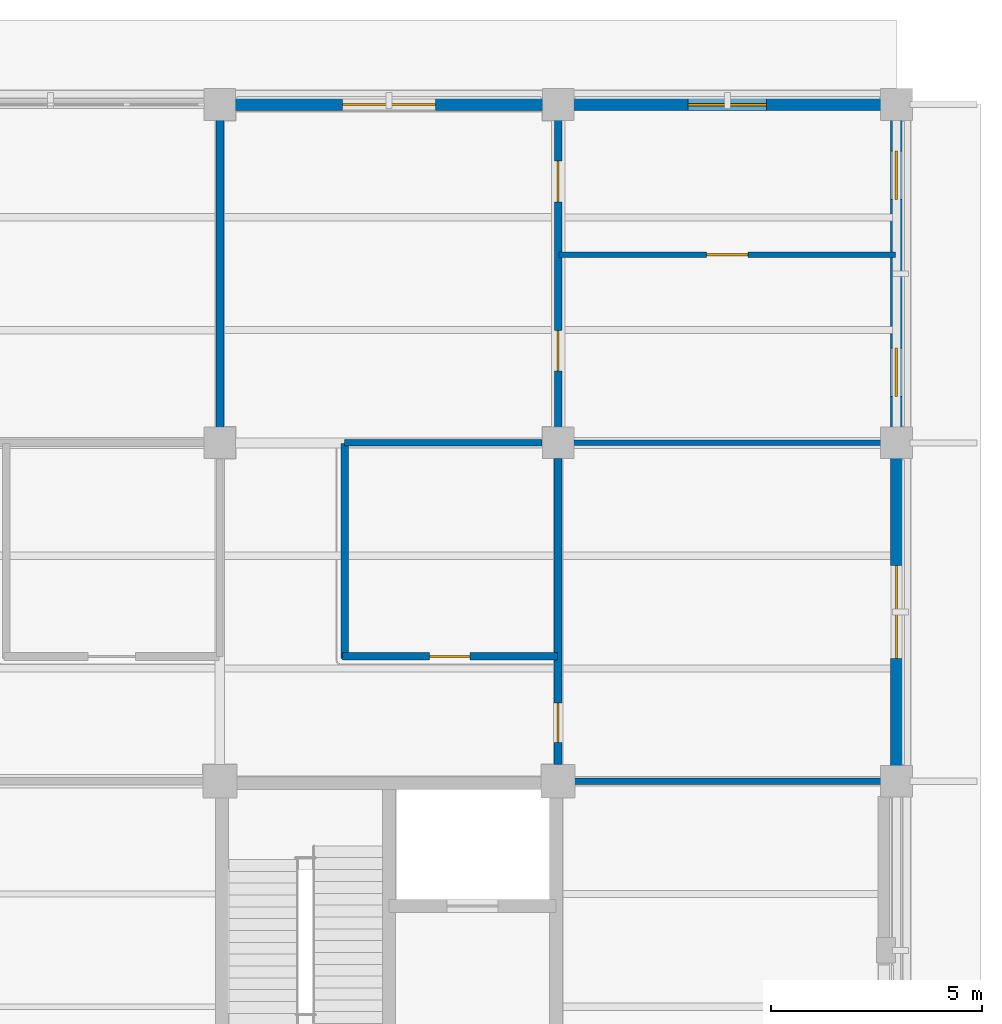
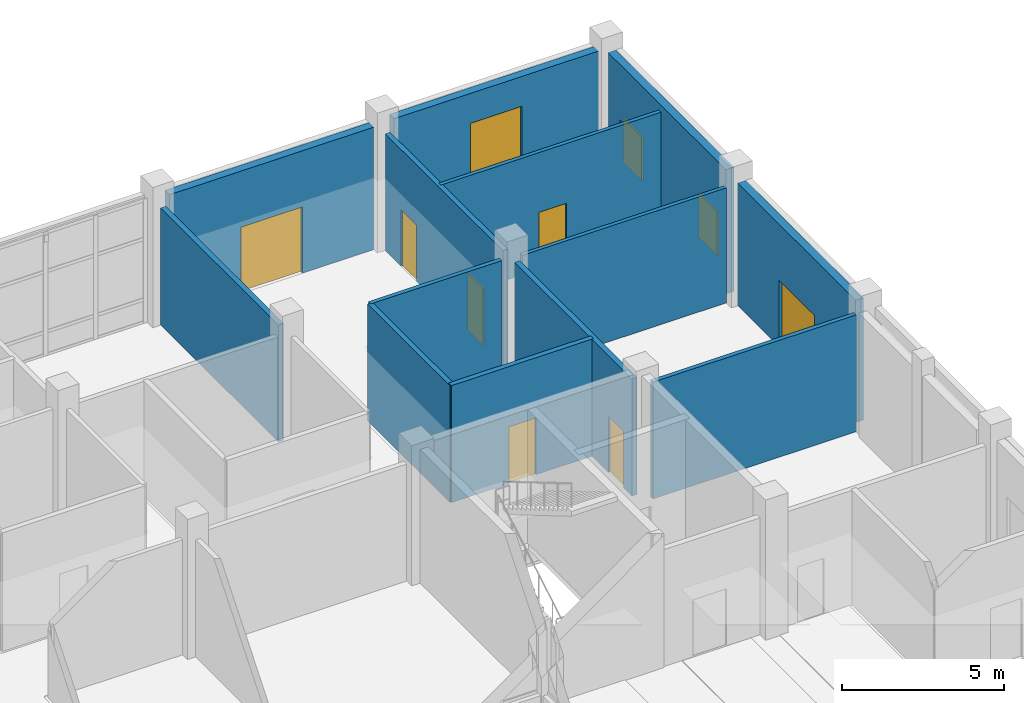
# One storey, part 81 of 105: 13 walls, 7 doors, 3 windows, 10 openings.
"""IFC4 building model written with IfcOpenShell, lengths in metres."""

import ifcopenshell
import ifcopenshell.guid

model = None  # the IFC model being written
_history = None  # IfcOwnerHistory: only IFC2X3 demands one
_inside = {}  # id of a spatial element -> (the spatial element, [elements in it])
_under = {}  # id of a project, library or spatial element -> (it, [spatial elements below it])
_declared = {}  # id of a project -> (the project, [libraries it declares])
_typed = {}  # id of a type object -> (the type object, [elements of that type])
_made_of = {}  # id of a material, layer set ... -> (it, [elements and type objects made of it])


def new_model(schema):
    """Start an empty IFC model of exactly this schema.

    Asked for "IFC4X3", IfcOpenShell would pick the latest addendum, in which some entities
    have other attributes; the version numbers below select the first issue.
    IFC2X3 requires an IfcOwnerHistory on every rooted entity: one is made here for all.
    """
    global model, _history
    if schema == "IFC4X3":
        model = ifcopenshell.file(schema_version=(4, 3, 0, 0))
    else:
        model = ifcopenshell.file(schema=schema)
    _inside.clear()
    _under.clear()
    _declared.clear()
    _typed.clear()
    _made_of.clear()
    _history = None
    if model.schema == "IFC2X3":
        org = make("IfcOrganization", Name="unknown")
        user = make(
            "IfcPersonAndOrganization",
            ThePerson=make("IfcPerson", FamilyName="unknown"),
            TheOrganization=org,
        )
        app = make(
            "IfcApplication",
            ApplicationDeveloper=org,
            Version="unknown",
            ApplicationFullName="unknown",
            ApplicationIdentifier="unknown",
        )
        _history = make(
            "IfcOwnerHistory",
            OwningUser=user,
            OwningApplication=app,
            ChangeAction="ADDED",
            CreationDate=0,
        )
    return model


def make(cls, **values):
    """One entity of the class cls with the attributes given. An attribute that is None is left unset."""
    return model.create_entity(
        cls, **{name: value for name, value in values.items() if value is not None}
    )


def rooted(cls, **values):
    """An entity with a GlobalId (a new one), such as an element, a storey or a relation."""
    return make(cls, GlobalId=ifcopenshell.guid.new(), OwnerHistory=_history, **values)


def si_unit(unit_type, name, prefix=None):
    """IfcSIUnit, for example si_unit("LENGTHUNIT", "METRE", prefix="MILLI")."""
    return make("IfcSIUnit", UnitType=unit_type, Prefix=prefix, Name=name)


def derived_unit(unit_type, elements):
    """IfcDerivedUnit: a product of units, each with its exponent."""
    return make(
        "IfcDerivedUnit",
        Elements=[
            make("IfcDerivedUnitElement", Unit=unit, Exponent=power)
            for unit, power in elements
        ],
        UnitType=unit_type,
    )


def assignment(units):
    """IfcUnitAssignment: the units of a project."""
    return None if units is None else make("IfcUnitAssignment", Units=units)


def point(xyz):
    """IfcCartesianPoint."""
    return None if xyz is None else make("IfcCartesianPoint", Coordinates=xyz)


def direction(xyz):
    """IfcDirection."""
    return None if xyz is None else make("IfcDirection", DirectionRatios=xyz)


def frame(location, z_axis=None, x_axis=None):
    """IfcAxis2Placement3D, a coordinate frame: its origin and axes. An axis left out is left unset."""
    return make(
        "IfcAxis2Placement3D",
        Location=point(location),
        Axis=direction(z_axis),
        RefDirection=direction(x_axis),
    )


def frame_2d(location, x_axis=None):
    """IfcAxis2Placement2D, a coordinate frame in the plane: its origin and x axis."""
    return make(
        "IfcAxis2Placement2D", Location=point(location), RefDirection=direction(x_axis)
    )


def origin():
    """The frame at (0, 0, 0) with its axes left unset."""
    return frame((0.0, 0.0, 0.0))


def place(relative_to, where):
    """IfcLocalPlacement: puts the frame where relative to a parent placement (None: the world)."""
    return make(
        "IfcLocalPlacement", PlacementRelTo=relative_to, RelativePlacement=where
    )


def context(
    kind, dimensions, precision=None, world=None, true_north=None, identifier=None
):
    """IfcGeometricRepresentationContext, for example the 3D "Model" context."""
    return make(
        "IfcGeometricRepresentationContext",
        ContextIdentifier=identifier,
        ContextType=kind,
        CoordinateSpaceDimension=dimensions,
        Precision=precision,
        WorldCoordinateSystem=world,
        TrueNorth=true_north,
    )


def subcontext(parent, identifier, kind, view, scale=None):
    """IfcGeometricRepresentationSubContext, for example "Body" below "Model"."""
    return make(
        "IfcGeometricRepresentationSubContext",
        ContextIdentifier=identifier,
        ContextType=kind,
        ParentContext=parent,
        TargetScale=scale,
        TargetView=view,
    )


def project(units=None, contexts=None):
    """IfcProject with its units and contexts."""
    return rooted(
        "IfcProject",
        Name="project",
        RepresentationContexts=contexts,
        UnitsInContext=assignment(units),
    )


def spatial(cls, under=None, at=None, **own):
    """A site, building, storey or space (cls), placed at a placement, below another one or the project."""
    s = rooted(cls, ObjectPlacement=at, **own)
    if under is not None:
        _under.setdefault(under.id(), (under, []))[1].append(s)
    return s


def profile(cls, at=None, kind="AREA", **sizes):
    """A parametric profile (cls). Its sizes go by their IFC names, for example OverallWidth=200.0."""
    return make(cls, ProfileType=kind, Position=at, **sizes)


def rectangle(**sizes):
    """IfcRectangleProfileDef."""
    return profile("IfcRectangleProfileDef", **sizes)


def extrude(swept, where, along, depth):
    """IfcExtrudedAreaSolid: the profile swept, set in the frame where, extruded along a direction by depth."""
    return make(
        "IfcExtrudedAreaSolid",
        SweptArea=swept,
        Position=where,
        ExtrudedDirection=direction(along),
        Depth=depth,
    )


def shape(context_of_items, identifier, shape_type, items):
    """IfcShapeRepresentation: the items that make up one representation, for example the "Body"."""
    return make(
        "IfcShapeRepresentation",
        ContextOfItems=context_of_items,
        RepresentationIdentifier=identifier,
        RepresentationType=shape_type,
        Items=items,
    )


def material(Name=None, Category=None):
    """IfcMaterial."""
    return make("IfcMaterial", Name=Name, Category=Category)


def layer(
    of_material, thickness, ventilated=None, Name=None, Category=None, Priority=None
):
    """IfcMaterialLayer: one layer of a wall or slab, of a material (None: an air gap)."""
    return make(
        "IfcMaterialLayer",
        Material=of_material,
        LayerThickness=thickness,
        IsVentilated=ventilated,
        Name=Name,
        Category=Category,
        Priority=Priority,
    )


def layer_set(layers, Name=None):
    """IfcMaterialLayerSet."""
    return make("IfcMaterialLayerSet", MaterialLayers=layers, LayerSetName=Name)


def made_of(thing, what):
    """Note that an element or type object is made of a material, layer set ...; save() writes the relation."""
    if what is not None:
        _made_of.setdefault(what.id(), (what, []))[1].append(thing)
    return thing


def type_object(cls, material=None, **own):
    """A type object (cls), such as IfcWallType, which elements share."""
    return made_of(rooted(cls, **own), material)


def element(
    cls,
    number,
    at=None,
    inside=None,
    cuts=None,
    type_object=None,
    material=None,
    context=None,
    identifier="Body",
    shape_type=None,
    held_by="IfcProductDefinitionShape",
    body=None,
    shapes=None,
    **own,
):
    """One element of the class cls, such as IfcWall. Its Tag is "e" and its number.

    at: its placement. inside: the storey or other place that contains it. cuts: it is an
    opening in that element (IfcRelVoidsElement). A single representation is given by context,
    identifier, shape_type and body (its items); several are given by shapes. held_by: the class
    of the entity that holds the representations. save() writes the other relations.
    """
    e = rooted(cls, Tag="e%d" % number, ObjectPlacement=at, **own)
    if body is not None:
        shapes = [shape(context, identifier, shape_type, body)]
    if shapes is not None:
        e.Representation = make(held_by, Representations=shapes)
    if inside is not None:
        _inside.setdefault(inside.id(), (inside, []))[1].append(e)
    if cuts is not None:
        rooted(
            "IfcRelVoidsElement", RelatingBuildingElement=cuts, RelatedOpeningElement=e
        )
    if type_object is not None:
        _typed.setdefault(type_object.id(), (type_object, []))[1].append(e)
    return made_of(e, material)


def fill(opening, filler):
    """IfcRelFillsElement: the door or window that sits in an opening."""
    return rooted(
        "IfcRelFillsElement",
        RelatingOpeningElement=opening,
        RelatedBuildingElement=filler,
    )


def aggregate(whole, parts):
    """IfcRelAggregates: a whole, such as a stair, and the parts it consists of."""
    return rooted("IfcRelAggregates", RelatingObject=whole, RelatedObjects=parts)


def save(model, path):
    """Write the relations noted so far, then the file.

    IfcRelAggregates (storeys below a building ...), IfcRelContainedInSpatialStructure (elements
    in a storey), IfcRelDefinesByType, IfcRelAssociatesMaterial and IfcRelDeclares: one each for
    every whole, place, type object, material and project.
    """
    for whole, parts in _under.values():
        aggregate(whole, parts)
    for where, things in _inside.values():
        rooted(
            "IfcRelContainedInSpatialStructure",
            RelatedElements=things,
            RelatingStructure=where,
        )
    for kind, things in _typed.values():
        rooted("IfcRelDefinesByType", RelatedObjects=things, RelatingType=kind)
    for what, things in _made_of.values():
        rooted("IfcRelAssociatesMaterial", RelatedObjects=things, RelatingMaterial=what)
    for by, libraries in _declared.values():
        rooted("IfcRelDeclares", RelatingContext=by, RelatedDefinitions=libraries)
    model.write(path)


model = new_model("IFC4")

# Units and contexts
model_context = context("Model", 3, precision=1e-05, world=origin(), true_north=direction((0.0, 1.0)))
body_context = subcontext(model_context, "Body", "Model", "MODEL_VIEW")
ifc_project = project(units=[si_unit("LENGTHUNIT", "METRE"), si_unit("AREAUNIT", "SQUARE_METRE"), si_unit("VOLUMEUNIT", "CUBIC_METRE"), si_unit("PLANEANGLEUNIT", "RADIAN"), si_unit("MASSUNIT", "GRAM", prefix="KILO"), derived_unit("THERMALTRANSMITTANCEUNIT", [(si_unit("MASSUNIT", "GRAM", prefix="KILO"), 1), (si_unit("TIMEUNIT", "SECOND"), -3), (si_unit("THERMODYNAMICTEMPERATUREUNIT", "KELVIN"), -1)])], contexts=[model_context])

# Site, building, storey
site_placement = place(None, origin())
site = spatial("IfcSite", under=ifc_project, at=site_placement, CompositionType="ELEMENT")
building_placement = place(site_placement, origin())
building = spatial("IfcBuilding", under=site, at=building_placement, Name="Veyamyaing Civic Hall", CompositionType="ELEMENT")
storey_placement = place(building_placement, origin())
storey = spatial("IfcBuildingStorey", under=building, at=storey_placement, Name="L00", CompositionType="ELEMENT", Elevation=0.0)

# Wall, opening, door
ifc_material_1 = material(Name="Precast concrete C40/50", Category="concrete")
ifc_layer_1 = layer(ifc_material_1, 0.280029296875, Name="Precast concrete C40/50")
ifc_layer_set_1 = layer_set([ifc_layer_1], Name="Precast concrete C40/50")
wall_type_1 = type_object("IfcWallType", Name="WT-04", PredefinedType="SOLIDWALL", material=ifc_layer_set_1)
wall_1_placement = place(storey_placement, frame((160.360107421875, 112.0, 0.0), z_axis=(0.0, 0.0, 1.0), x_axis=(1.0, 0.0, 0.0)))
wall_1 = element("IfcWall", 1, at=wall_1_placement, inside=storey, type_object=wall_type_1, Name="Exterior facade wall WT-04 L00 N 21.14", PredefinedType="SOLIDWALL", context=body_context, shape_type="SweptSolid", body=[
    extrude(rectangle(XDim=7.27978515625, YDim=0.280029296875, at=frame_2d((3.639892578125, 0.0))), origin(), (0.0, 0.0, 1.0), 4.614013671875),
])
opening_1_placement = place(wall_1_placement, frame((2.5400390625, 0.0, 0.0)))
opening_1 = element("IfcOpeningElement", 2, at=opening_1_placement, cuts=wall_1, Name="Opening D-01", PredefinedType="OPENING", context=body_context, shape_type="SweptSolid", body=[
    extrude(rectangle(XDim=2.199951171875, YDim=2.5, at=frame_2d((1.10009765625, 1.25))), frame((0.0, 0.14990234375, 0.0), z_axis=(0.0, -1.0, 0.0), x_axis=(1.0, 0.0, 0.0)), (0.0, 0.0, 1.0), 0.300048828125),
])
ifc_material_2 = material(Name="Anodised aluminium 6063-T6", Category="aluminium")
door_type_1 = type_object("IfcDoorType", Name="D-01", OperationType="DOUBLE_DOOR_SINGLE_SWING", PredefinedType="DOOR", material=ifc_material_2)
door_1_placement = place(opening_1_placement, origin())
door_1 = element("IfcDoor", 3, at=door_1_placement, inside=storey, type_object=door_type_1, Name="Main pedestrian final exit EX-14", OperationType="DOUBLE_DOOR_SINGLE_SWING", OverallHeight=2.5, OverallWidth=2.199951171875, PredefinedType="DOOR", context=body_context, shape_type="SweptSolid", body=[
    extrude(rectangle(XDim=2.199951171875, YDim=2.5, at=frame_2d((1.10009765625, 1.25))), frame((0.0, 0.02490234375, 0.0), z_axis=(0.0, -1.0, 0.0), x_axis=(1.0, 0.0, 0.0)), (0.0, 0.0, 1.0), 0.050048828125),
])
fill(opening_1, door_1)

wall_2_placement = place(storey_placement, frame((176.0, 96.360107421875, 0.0), z_axis=(0.0, 0.0, 1.0), x_axis=(0.0, 1.0, 0.0)))
wall_2 = element("IfcWall", 4, at=wall_2_placement, inside=storey, type_object=wall_type_1, Name="Exterior facade wall WT-04 L00 E 22.13", PredefinedType="SOLIDWALL", context=body_context, shape_type="SweptSolid", body=[
    extrude(rectangle(XDim=7.27978515625, YDim=0.280029296875, at=frame_2d((3.639892578125, 0.0))), origin(), (0.0, 0.0, 1.0), 4.614013671875),
])
opening_2_placement = place(wall_2_placement, frame((2.5400390625, 0.0, 0.0)))
opening_2 = element("IfcOpeningElement", 5, at=opening_2_placement, cuts=wall_2, Name="Opening D-01", PredefinedType="OPENING", context=body_context, shape_type="SweptSolid", body=[
    extrude(rectangle(XDim=2.199951171875, YDim=2.5, at=frame_2d((1.10009765625, 1.25))), frame((0.0, 0.14990234375, 0.0), z_axis=(0.0, -1.0, 0.0), x_axis=(1.0, 0.0, 0.0)), (0.0, 0.0, 1.0), 0.300048828125),
])
door_2_placement = place(opening_2_placement, frame((2.199951171875, 0.0, 0.0), z_axis=(0.0, 0.0, 1.0), x_axis=(-1.0, 0.0, 0.0)))
door_2 = element("IfcDoor", 6, at=door_2_placement, inside=storey, type_object=door_type_1, Name="Main pedestrian final exit EX-18", OperationType="DOUBLE_DOOR_SINGLE_SWING", OverallHeight=2.5, OverallWidth=2.199951171875, PredefinedType="DOOR", context=body_context, shape_type="SweptSolid", body=[
    extrude(rectangle(XDim=2.199951171875, YDim=2.5, at=frame_2d((1.10009765625, 1.25))), frame((0.0, 0.02490234375, 0.0), z_axis=(0.0, -1.0, 0.0), x_axis=(1.0, 0.0, 0.0)), (0.0, 0.0, 1.0), 0.050048828125),
])
fill(opening_2, door_2)

# Wall, opening, window
wall_3_placement = place(storey_placement, frame((168.360107421875, 112.0, 0.0), z_axis=(0.0, 0.0, 1.0), x_axis=(1.0, 0.0, 0.0)))
wall_3 = element("IfcWall", 7, at=wall_3_placement, inside=storey, type_object=wall_type_1, Name="Exterior facade wall WT-04 L00 N 22.14", PredefinedType="SOLIDWALL", context=body_context, shape_type="SweptSolid", body=[
    extrude(rectangle(XDim=7.27978515625, YDim=0.280029296875, at=frame_2d((3.639892578125, 0.0))), origin(), (0.0, 0.0, 1.0), 4.677001953125),
])
opening_3_placement = place(wall_3_placement, frame((2.715087890625, 0.0, 0.89990234375)))
opening_3 = element("IfcOpeningElement", 8, at=opening_3_placement, cuts=wall_3, Name="Opening W-03", PredefinedType="OPENING", context=body_context, shape_type="SweptSolid", body=[
    extrude(rectangle(XDim=1.85009765625, YDim=2.64990234375, at=frame_2d((0.925048828125, 1.324951171875))), frame((0.0, 0.14990234375, 0.0), z_axis=(0.0, -1.0, 0.0), x_axis=(1.0, 0.0, 0.0)), (0.0, 0.0, 1.0), 0.300048828125),
])
ifc_material_3 = material(Name="Low-E insulated glass", Category="glass")
window_type_1 = type_object("IfcWindowType", Name="W-03", PartitioningType="SINGLE_PANEL", PredefinedType="WINDOW", material=ifc_material_3)
window_1_placement = place(opening_3_placement, origin())
window_1 = element("IfcWindow", 9, at=window_1_placement, inside=storey, type_object=window_type_1, Name="Facade window W-03 L00 N 22.14", OverallHeight=2.64990234375, OverallWidth=1.85009765625, PartitioningType="SINGLE_PANEL", PredefinedType="WINDOW", context=body_context, shape_type="SweptSolid", body=[
    extrude(rectangle(XDim=1.85009765625, YDim=2.64990234375, at=frame_2d((0.925048828125, 1.324951171875))), frame((0.0, 0.030029296875, 0.0), z_axis=(0.0, -1.0, 0.0), x_axis=(1.0, 0.0, 0.0)), (0.0, 0.0, 1.0), 0.06005859375),
])
fill(opening_3, window_1)

# Wall, openings, windows
wall_4_placement = place(storey_placement, frame((176.0, 104.360107421875, 0.0), z_axis=(0.0, 0.0, 1.0), x_axis=(0.0, 1.0, 0.0)))
wall_4 = element("IfcWall", 10, at=wall_4_placement, inside=storey, type_object=wall_type_1, Name="Exterior facade wall WT-04 L00 E 22.14", PredefinedType="SOLIDWALL", context=body_context, shape_type="SweptSolid", body=[
    extrude(rectangle(XDim=7.27978515625, YDim=0.280029296875, at=frame_2d((3.639892578125, 0.0))), origin(), (0.0, 0.0, 1.0), 4.677001953125),
])
opening_4_placement = place(wall_4_placement, frame((0.7353515625, 0.0, 0.949951171875)))
opening_4 = element("IfcOpeningElement", 11, at=opening_4_placement, cuts=wall_4, Name="Opening W-32", PredefinedType="OPENING", context=body_context, shape_type="SweptSolid", body=[
    extrude(rectangle(XDim=1.14990234375, YDim=1.64990234375, at=frame_2d((0.574951171875, 0.824951171875))), frame((0.0, 0.14990234375, 0.0), z_axis=(0.0, -1.0, 0.0), x_axis=(1.0, 0.0, 0.0)), (0.0, 0.0, 1.0), 0.300048828125),
])
opening_5_placement = place(wall_4_placement, frame((5.39453125, 0.0, 0.949951171875)))
opening_5 = element("IfcOpeningElement", 12, at=opening_5_placement, cuts=wall_4, Name="Opening W-32", PredefinedType="OPENING", context=body_context, shape_type="SweptSolid", body=[
    extrude(rectangle(XDim=1.14990234375, YDim=1.64990234375, at=frame_2d((0.574951171875, 0.824951171875))), frame((0.0, 0.14990234375, 0.0), z_axis=(0.0, -1.0, 0.0), x_axis=(1.0, 0.0, 0.0)), (0.0, 0.0, 1.0), 0.300048828125),
])
window_type_2 = type_object("IfcWindowType", Name="W-32", PartitioningType="SINGLE_PANEL", PredefinedType="WINDOW", material=ifc_material_3)
window_2_placement = place(opening_4_placement, origin())
window_2 = element("IfcWindow", 13, at=window_2_placement, inside=storey, type_object=window_type_2, Name="Facade window W-32 L00 E 22.14.1", OverallHeight=1.64990234375, OverallWidth=1.14990234375, PartitioningType="SINGLE_PANEL", PredefinedType="WINDOW", context=body_context, shape_type="SweptSolid", body=[
    extrude(rectangle(XDim=1.14990234375, YDim=1.64990234375, at=frame_2d((0.574951171875, 0.824951171875))), frame((0.0, 0.030029296875, 0.0), z_axis=(0.0, -1.0, 0.0), x_axis=(1.0, 0.0, 0.0)), (0.0, 0.0, 1.0), 0.06005859375),
])
fill(opening_4, window_2)
window_3_placement = place(opening_5_placement, origin())
window_3 = element("IfcWindow", 14, at=window_3_placement, inside=storey, type_object=window_type_2, Name="Facade window W-32 L00 E 22.14.2", OverallHeight=1.64990234375, OverallWidth=1.14990234375, PartitioningType="SINGLE_PANEL", PredefinedType="WINDOW", context=body_context, shape_type="SweptSolid", body=[
    extrude(rectangle(XDim=1.14990234375, YDim=1.64990234375, at=frame_2d((0.574951171875, 0.824951171875))), frame((0.0, 0.030029296875, 0.0), z_axis=(0.0, -1.0, 0.0), x_axis=(1.0, 0.0, 0.0)), (0.0, 0.0, 1.0), 0.06005859375),
])
fill(opening_5, window_3)

# Wall, opening, door
ifc_material_4 = material(Name="Gypsum board on acoustic steel stud", Category="steel")
ifc_layer_2 = layer(ifc_material_4, 0.175048828125, Name="Gypsum board on acoustic steel stud")
ifc_layer_set_2 = layer_set([ifc_layer_2], Name="Gypsum board on acoustic steel stud")
wall_type_2 = type_object("IfcWallType", Name="WT-07", PredefinedType="PARTITIONING", material=ifc_layer_set_2)
wall_5_placement = place(storey_placement, frame((162.89990234375, 98.949951171875, 0.0), z_axis=(0.0, 0.0, 1.0), x_axis=(1.0, 0.0, 0.0)))
wall_5 = element("IfcWall", 15, at=wall_5_placement, inside=storey, type_object=wall_type_2, Name="Corridor gallery partition WT-07 L00.75.1", PredefinedType="PARTITIONING", context=body_context, shape_type="SweptSolid", body=[
    extrude(rectangle(XDim=5.080078125, YDim=0.175048828125, at=frame_2d((2.5400390625, 0.0))), origin(), (0.0, 0.0, 1.0), 4.412109375),
])
opening_6_placement = place(wall_5_placement, frame((2.06005859375, 0.0, 0.0)))
opening_6 = element("IfcOpeningElement", 16, at=opening_6_placement, cuts=wall_5, Name="Opening D-25", PredefinedType="OPENING", context=body_context, shape_type="SweptSolid", body=[
    extrude(rectangle(XDim=0.9599609375, YDim=2.139892578125, at=frame_2d((0.47998046875, 1.06982421875))), frame((0.0, 0.097412109375, 0.0), z_axis=(0.0, -1.0, 0.0), x_axis=(1.0, 0.0, 0.0)), (0.0, 0.0, 1.0), 0.195068359375),
])
ifc_material_5 = material(Name="Teak-veneered acoustic timber", Category="wood")
door_type_2 = type_object("IfcDoorType", Name="D-25", OperationType="NOTDEFINED", PredefinedType="DOOR", material=ifc_material_5)
door_3_placement = place(opening_6_placement, origin())
door_3 = element("IfcDoor", 17, at=door_3_placement, inside=storey, type_object=door_type_2, Name="Gallery office door D-25 L00.75", OperationType="SINGLE_SWING_RIGHT", OverallHeight=2.139892578125, OverallWidth=0.9599609375, PredefinedType="DOOR", context=body_context, shape_type="SweptSolid", body=[
    extrude(rectangle(XDim=0.9599609375, YDim=2.139892578125, at=frame_2d((0.47998046875, 1.06982421875))), frame((0.0, 0.02490234375, 0.0), z_axis=(0.0, -1.0, 0.0), x_axis=(1.0, 0.0, 0.0)), (0.0, 0.0, 1.0), 0.050048828125),
])
fill(opening_6, door_3)

# Wall
wall_6_placement = place(storey_placement, frame((162.949951171875, 98.89990234375, 0.0), z_axis=(0.0, 0.0, 1.0), x_axis=(0.0, 1.0, 0.0)))
element("IfcWall", 18, at=wall_6_placement, inside=storey, type_object=wall_type_2, Name="Corridor gallery partition WT-07 L00.75.2", PredefinedType="PARTITIONING", context=body_context, shape_type="SweptSolid", body=[
    extrude(rectangle(XDim=5.080078125, YDim=0.175048828125, at=frame_2d((2.5400390625, 0.0))), origin(), (0.0, 0.0, 1.0), 4.403076171875),
])

# Wall, openings, doors
wall_7_placement = place(storey_placement, frame((168.0, 104.364990234375, 0.0), z_axis=(0.0, 0.0, 1.0), x_axis=(0.0, 1.0, 0.0)))
wall_7 = element("IfcWall", 19, at=wall_7_placement, inside=storey, type_object=wall_type_2, Name="Interior partition wall WT-07 L00.155", PredefinedType="PARTITIONING", context=body_context, shape_type="SweptSolid", body=[
    extrude(rectangle(XDim=7.27001953125, YDim=0.175048828125, at=frame_2d((3.635009765625, 0.0))), origin(), (0.0, 0.0, 1.0), 4.404052734375),
])
opening_7_placement = place(wall_7_placement, frame((1.33740234375, 0.0, 0.0)))
opening_7 = element("IfcOpeningElement", 20, at=opening_7_placement, cuts=wall_7, Name="Opening D-25", PredefinedType="OPENING", context=body_context, shape_type="SweptSolid", body=[
    extrude(rectangle(XDim=0.9599609375, YDim=2.139892578125, at=frame_2d((0.47998046875, 1.06982421875))), frame((0.0, 0.097412109375, 0.0), z_axis=(0.0, -1.0, 0.0), x_axis=(1.0, 0.0, 0.0)), (0.0, 0.0, 1.0), 0.195068359375),
])
opening_8_placement = place(wall_7_placement, frame((5.3359375, 0.0, 0.0)))
opening_8 = element("IfcOpeningElement", 21, at=opening_8_placement, cuts=wall_7, Name="Opening D-25", PredefinedType="OPENING", context=body_context, shape_type="SweptSolid", body=[
    extrude(rectangle(XDim=0.9599609375, YDim=2.139892578125, at=frame_2d((0.47998046875, 1.06982421875))), frame((0.0, 0.097412109375, 0.0), z_axis=(0.0, -1.0, 0.0), x_axis=(1.0, 0.0, 0.0)), (0.0, 0.0, 1.0), 0.195068359375),
])
door_4_placement = place(opening_7_placement, frame((0.9599609375, 0.0, 0.0), z_axis=(0.0, 0.0, 1.0), x_axis=(-1.0, 0.0, 0.0)))
door_4 = element("IfcDoor", 22, at=door_4_placement, inside=storey, type_object=door_type_2, Name="Interior room door D-25 L00.155.1", OperationType="SINGLE_SWING_LEFT", OverallHeight=2.139892578125, OverallWidth=0.9599609375, PredefinedType="DOOR", context=body_context, shape_type="SweptSolid", body=[
    extrude(rectangle(XDim=0.9599609375, YDim=2.139892578125, at=frame_2d((0.47998046875, 1.06982421875))), frame((0.0, 0.02490234375, 0.0), z_axis=(0.0, -1.0, 0.0), x_axis=(1.0, 0.0, 0.0)), (0.0, 0.0, 1.0), 0.050048828125),
])
fill(opening_7, door_4)
door_5_placement = place(opening_8_placement, frame((0.9599609375, 0.0, 0.0), z_axis=(0.0, 0.0, 1.0), x_axis=(-1.0, 0.0, 0.0)))
door_5 = element("IfcDoor", 23, at=door_5_placement, inside=storey, type_object=door_type_2, Name="Interior room door D-25 L00.155.2", OperationType="SINGLE_SWING_RIGHT", OverallHeight=2.139892578125, OverallWidth=0.9599609375, PredefinedType="DOOR", context=body_context, shape_type="SweptSolid", body=[
    extrude(rectangle(XDim=0.9599609375, YDim=2.139892578125, at=frame_2d((0.47998046875, 1.06982421875))), frame((0.0, 0.02490234375, 0.0), z_axis=(0.0, -1.0, 0.0), x_axis=(1.0, 0.0, 0.0)), (0.0, 0.0, 1.0), 0.050048828125),
])
fill(opening_8, door_5)

# Walls
ifc_material_6 = material(Name="Gypsum board on steel stud", Category="steel")
ifc_layer_3 = layer(ifc_material_6, 0.14990234375, Name="Gypsum board on steel stud")
ifc_layer_set_3 = layer_set([ifc_layer_3], Name="Gypsum board on steel stud")
wall_type_3 = type_object("IfcWallType", Name="WT-08", PredefinedType="PARTITIONING", material=ifc_layer_set_3)
wall_8_placement = place(storey_placement, frame((162.949951171875, 104.0, 0.0), z_axis=(0.0, 0.0, 1.0), x_axis=(1.0, 0.0, 0.0)))
element("IfcWall", 24, at=wall_8_placement, inside=storey, type_object=wall_type_3, Name="Gallery office end partition WT-08 L00.75.1", PredefinedType="PARTITIONING", context=body_context, shape_type="SweptSolid", body=[
    extrude(rectangle(XDim=4.6650390625, YDim=0.14990234375, at=frame_2d((2.33251953125, 0.0))), origin(), (0.0, 0.0, 1.0), 4.403076171875),
])
wall_9_placement = place(storey_placement, frame((168.389892578125, 96.0, 0.0), z_axis=(0.0, 0.0, 1.0), x_axis=(1.0, 0.0, 0.0)))
element("IfcWall", 25, at=wall_9_placement, inside=storey, type_object=wall_type_3, Name="Interior partition wall WT-08 L00.163", PredefinedType="PARTITIONING", context=body_context, shape_type="SweptSolid", body=[
    extrude(rectangle(XDim=7.2451171875, YDim=0.14990234375, at=frame_2d((3.62255859375, 0.0))), origin(), (0.0, 0.0, 1.0), 4.403076171875),
])
ifc_layer_4 = layer(ifc_material_6, 0.135009765625, Name="Gypsum board on steel stud")
ifc_layer_set_4 = layer_set([ifc_layer_4], Name="Gypsum board on steel stud")
wall_type_4 = type_object("IfcWallType", Name="WT-15", PredefinedType="PARTITIONING", material=ifc_layer_set_4)
wall_10_placement = place(storey_placement, frame((168.364990234375, 104.0, 0.0), z_axis=(0.0, 0.0, 1.0), x_axis=(1.0, 0.0, 0.0)))
element("IfcWall", 26, at=wall_10_placement, inside=storey, type_object=wall_type_4, Name="Interior partition wall WT-15 L00.164", PredefinedType="PARTITIONING", context=body_context, shape_type="SweptSolid", body=[
    extrude(rectangle(XDim=7.27001953125, YDim=0.135009765625, at=frame_2d((3.635009765625, 0.0))), origin(), (0.0, 0.0, 1.0), 4.3359375),
])

# Wall, opening, door
wall_11_placement = place(storey_placement, frame((168.02001953125, 108.449951171875, 0.0), z_axis=(0.0, 0.0, 1.0), x_axis=(1.0, 0.0, 0.0)))
wall_11 = element("IfcWall", 27, at=wall_11_placement, inside=storey, type_object=wall_type_4, Name="Sub-bay room partition WT-15 L00.6", PredefinedType="PARTITIONING", context=body_context, shape_type="SweptSolid", body=[
    extrude(rectangle(XDim=7.9599609375, YDim=0.135009765625, at=frame_2d((3.97998046875, 0.0))), origin(), (0.0, 0.0, 1.0), 4.404052734375),
])
opening_9_placement = place(wall_11_placement, frame((3.489990234375, 0.0, 0.0)))
opening_9 = element("IfcOpeningElement", 28, at=opening_9_placement, cuts=wall_11, Name="Opening D-14", PredefinedType="OPENING", context=body_context, shape_type="SweptSolid", body=[
    extrude(rectangle(XDim=0.97998046875, YDim=2.14990234375, at=frame_2d((0.489990234375, 1.074951171875))), frame((0.0, 0.077392578125, 0.0), z_axis=(0.0, -1.0, 0.0), x_axis=(1.0, 0.0, 0.0)), (0.0, 0.0, 1.0), 0.155029296875),
])
door_type_3 = type_object("IfcDoorType", Name="D-14", OperationType="NOTDEFINED", PredefinedType="DOOR", material=ifc_material_5)
door_6_placement = place(opening_9_placement, origin())
door_6 = element("IfcDoor", 29, at=door_6_placement, inside=storey, type_object=door_type_3, Name="Suite connecting door D-14 L00.6", OperationType="SINGLE_SWING_RIGHT", OverallHeight=2.14990234375, OverallWidth=0.97998046875, PredefinedType="DOOR", context=body_context, shape_type="SweptSolid", body=[
    extrude(rectangle(XDim=0.97998046875, YDim=2.14990234375, at=frame_2d((0.489990234375, 1.074951171875))), frame((0.0, 0.02490234375, 0.0), z_axis=(0.0, -1.0, 0.0), x_axis=(1.0, 0.0, 0.0)), (0.0, 0.0, 1.0), 0.050048828125),
])
fill(opening_9, door_6)

# Wall
ifc_material_7 = material(Name="Gypsum board on double acoustic stud")
ifc_layer_5 = layer(ifc_material_7, 0.18505859375, Name="Gypsum board on double acoustic stud")
ifc_layer_set_5 = layer_set([ifc_layer_5], Name="Gypsum board on double acoustic stud")
wall_type_5 = type_object("IfcWallType", Name="WT-19", PredefinedType="PARTITIONING", material=ifc_layer_set_5)
wall_12_placement = place(storey_placement, frame((160.0, 104.364990234375, 0.0), z_axis=(0.0, 0.0, 1.0), x_axis=(0.0, 1.0, 0.0)))
element("IfcWall", 30, at=wall_12_placement, inside=storey, type_object=wall_type_5, Name="Interior partition wall WT-19 L00.142", PredefinedType="PARTITIONING", context=body_context, shape_type="SweptSolid", body=[
    extrude(rectangle(XDim=7.27001953125, YDim=0.18505859375, at=frame_2d((3.635009765625, 0.0))), origin(), (0.0, 0.0, 1.0), 4.412109375),
])

# Wall, opening, door
wall_13_placement = place(storey_placement, frame((168.0, 96.389892578125, 0.0), z_axis=(0.0, 0.0, 1.0), x_axis=(0.0, 1.0, 0.0)))
wall_13 = element("IfcWall", 31, at=wall_13_placement, inside=storey, type_object=wall_type_5, Name="Interior partition wall WT-19 L00.154", PredefinedType="PARTITIONING", context=body_context, shape_type="SweptSolid", body=[
    extrude(rectangle(XDim=7.2451171875, YDim=0.18505859375, at=frame_2d((3.62255859375, 0.0))), origin(), (0.0, 0.0, 1.0), 4.412109375),
])
opening_10_placement = place(wall_13_placement, frame((0.52001953125, 0.0, 0.0)))
opening_10 = element("IfcOpeningElement", 32, at=opening_10_placement, cuts=wall_13, Name="Opening D-30", PredefinedType="OPENING", context=body_context, shape_type="SweptSolid", body=[
    extrude(rectangle(XDim=0.93994140625, YDim=2.1201171875, at=frame_2d((0.469970703125, 1.06005859375))), frame((0.0, 0.1025390625, 0.0), z_axis=(0.0, -1.0, 0.0), x_axis=(1.0, 0.0, 0.0)), (0.0, 0.0, 1.0), 0.205078125),
])
door_type_4 = type_object("IfcDoorType", Name="D-30", OperationType="NOTDEFINED", PredefinedType="DOOR", material=ifc_material_5)
door_7_placement = place(opening_10_placement, frame((0.93994140625, 0.0, 0.0), z_axis=(0.0, 0.0, 1.0), x_axis=(-1.0, 0.0, 0.0)))
door_7 = element("IfcDoor", 33, at=door_7_placement, inside=storey, type_object=door_type_4, Name="Interior door D-30 L00.154", OperationType="SINGLE_SWING_RIGHT", OverallHeight=2.1201171875, OverallWidth=0.93994140625, PredefinedType="DOOR", context=body_context, shape_type="SweptSolid", body=[
    extrude(rectangle(XDim=0.93994140625, YDim=2.1201171875, at=frame_2d((0.469970703125, 1.06005859375))), frame((0.0, 0.02490234375, 0.0), z_axis=(0.0, -1.0, 0.0), x_axis=(1.0, 0.0, 0.0)), (0.0, 0.0, 1.0), 0.050048828125),
])
fill(opening_10, door_7)

save(model, "model.ifc")
